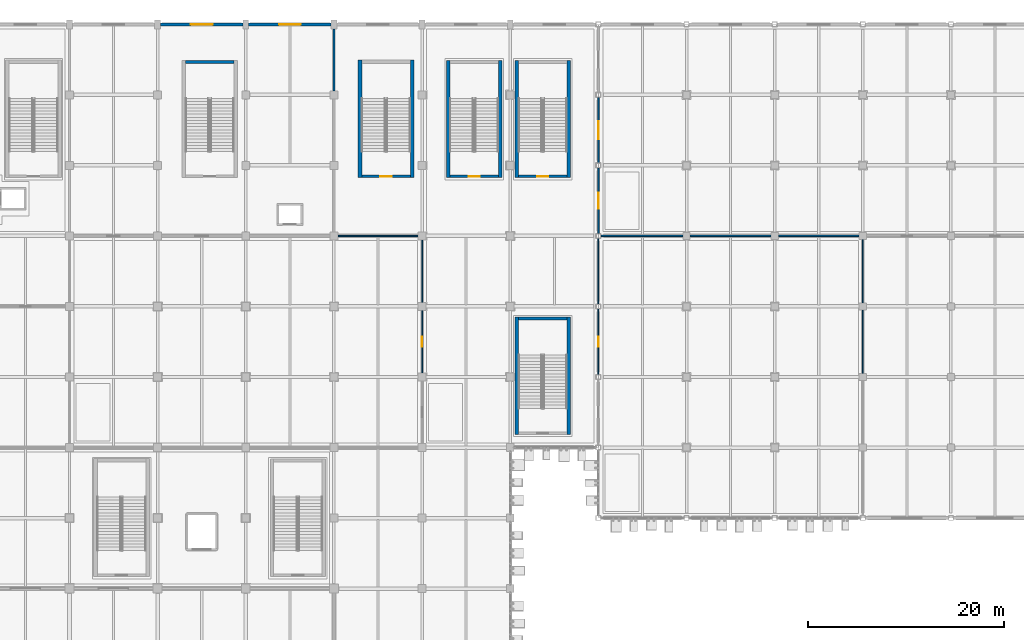
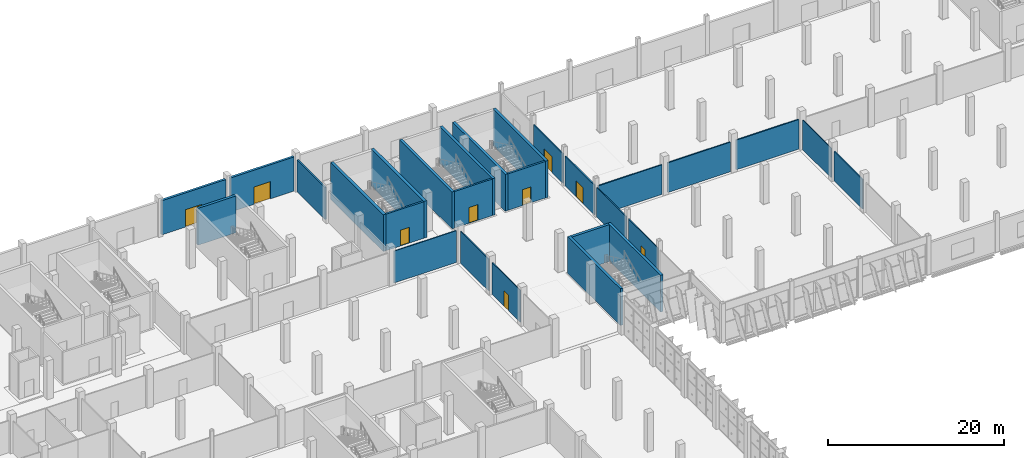
# One storey, part 98 of 137: 28 walls, 9 doors, 9 openings.
"""IFC4 building model written with IfcOpenShell, lengths in metres."""

from ifc_helpers import new_model, si_unit, direction, frame, frame_2d, origin, place, context, subcontext, project, spatial, rectangle, extrude, material, layer, layer_set, type_object, element, fill, save


model = new_model("IFC4")

# Units and contexts
model_context = context("Model", 3, precision=1e-05, world=origin(), true_north=direction((0.0, 1.0)))
body_context = subcontext(model_context, "Body", "Model", "MODEL_VIEW")
ifc_project = project(units=[si_unit("LENGTHUNIT", "METRE"), si_unit("AREAUNIT", "SQUARE_METRE"), si_unit("VOLUMEUNIT", "CUBIC_METRE"), si_unit("PLANEANGLEUNIT", "RADIAN"), si_unit("MASSUNIT", "GRAM", prefix="KILO")], contexts=[model_context])

# Site, building, storey
site_placement = place(None, origin())
site = spatial("IfcSite", under=ifc_project, at=site_placement, CompositionType="ELEMENT")
building_placement = place(site_placement, origin())
building = spatial("IfcBuilding", under=site, at=building_placement, Name="Celestram Park Convention Centre", CompositionType="ELEMENT")
storey_placement = place(building_placement, origin())
storey = spatial("IfcBuildingStorey", under=building, at=storey_placement, Name="L00", CompositionType="ELEMENT", Elevation=0.0)

# Wall, opening, door
ifc_material_1 = material(Name="Concrete Block Masonry C25/30", Category="masonry")
ifc_layer_1 = layer(ifc_material_1, 0.25)
ifc_layer_set_1 = layer_set([ifc_layer_1], Name="Concrete Block Masonry C25/30")
wall_type_1 = type_object("IfcWallType", Name="ARC-WL-COR250", PredefinedType="STANDARD", material=ifc_layer_set_1)
wall_1_placement = place(storey_placement, frame((133.800048828125, 150.074951171875, 0.0), z_axis=(0.0, 0.0, 1.0), x_axis=(-1.0, 0.0, 0.0)))
wall_1 = element("IfcWall", 1, at=wall_1_placement, inside=storey, type_object=wall_type_1, Name="Core C5 stair entrance wall", PredefinedType="STANDARD", context=body_context, shape_type="SweptSolid", body=[
    extrude(rectangle(XDim=4.9599609375, YDim=0.25, at=frame_2d((2.47998046875, 0.0))), origin(), (0.0, 0.0, 1.0), 5.080078125),
])
opening_1_placement = place(wall_1_placement, frame((1.905029296875, 0.0, 0.0)))
opening_1 = element("IfcOpeningElement", 2, at=opening_1_placement, cuts=wall_1, Name="Opening D-ST1", PredefinedType="OPENING", context=body_context, shape_type="SweptSolid", body=[
    extrude(rectangle(XDim=1.14990234375, YDim=2.199951171875, at=frame_2d((0.574951171875, 1.10009765625))), frame((0.0, 0.135009765625, 0.0), z_axis=(0.0, -1.0, 0.0), x_axis=(1.0, 0.0, 0.0)), (0.0, 0.0, 1.0), 0.27001953125),
])
ifc_material_2 = material(Name="Fire-Rated Hollow Metal Steel ASTM A653", Category="steel")
door_type_1 = type_object("IfcDoorType", Name="ARC-DR-ST115", OperationType="NOTDEFINED", PredefinedType="DOOR", material=ifc_material_2)
door_1_placement = place(opening_1_placement, origin())
door_1 = element("IfcDoor", 3, at=door_1_placement, inside=storey, type_object=door_type_1, Name="Exit stair ST-05 fire door", OperationType="SINGLE_SWING_LEFT", OverallHeight=2.199951171875, OverallWidth=1.14990234375, PredefinedType="DOOR", context=body_context, shape_type="SweptSolid", body=[
    extrude(rectangle(XDim=1.14990234375, YDim=2.199951171875, at=frame_2d((0.574951171875, 1.10009765625))), frame((0.0, 0.02490234375, 0.0), z_axis=(0.0, -1.0, 0.0), x_axis=(1.0, 0.0, 0.0)), (0.0, 0.0, 1.0), 0.050048828125),
])
fill(opening_1, door_1)

wall_2_placement = place(storey_placement, frame((149.800048828125, 150.074951171875, 0.0), z_axis=(0.0, 0.0, 1.0), x_axis=(-1.0, 0.0, 0.0)))
wall_2 = element("IfcWall", 4, at=wall_2_placement, inside=storey, type_object=wall_type_1, Name="Core S09 stair entrance wall", PredefinedType="STANDARD", context=body_context, shape_type="SweptSolid", body=[
    extrude(rectangle(XDim=4.9599609375, YDim=0.25, at=frame_2d((2.47998046875, 0.0))), origin(), (0.0, 0.0, 1.0), 5.080078125),
])
opening_2_placement = place(wall_2_placement, frame((1.905029296875, 0.0, 0.0)))
opening_2 = element("IfcOpeningElement", 5, at=opening_2_placement, cuts=wall_2, Name="Opening D-ST1", PredefinedType="OPENING", context=body_context, shape_type="SweptSolid", body=[
    extrude(rectangle(XDim=1.14990234375, YDim=2.199951171875, at=frame_2d((0.574951171875, 1.10009765625))), frame((0.0, 0.135009765625, 0.0), z_axis=(0.0, -1.0, 0.0), x_axis=(1.0, 0.0, 0.0)), (0.0, 0.0, 1.0), 0.27001953125),
])
door_2_placement = place(opening_2_placement, origin())
door_2 = element("IfcDoor", 6, at=door_2_placement, inside=storey, type_object=door_type_1, Name="Exit stair ST-09 fire door", OperationType="SINGLE_SWING_LEFT", OverallHeight=2.199951171875, OverallWidth=1.14990234375, PredefinedType="DOOR", context=body_context, shape_type="SweptSolid", body=[
    extrude(rectangle(XDim=1.14990234375, YDim=2.199951171875, at=frame_2d((0.574951171875, 1.10009765625))), frame((0.0, 0.02490234375, 0.0), z_axis=(0.0, -1.0, 0.0), x_axis=(1.0, 0.0, 0.0)), (0.0, 0.0, 1.0), 0.050048828125),
])
fill(opening_2, door_2)

wall_3_placement = place(storey_placement, frame((142.800048828125, 150.074951171875, 0.0), z_axis=(0.0, 0.0, 1.0), x_axis=(-1.0, 0.0, 0.0)))
wall_3 = element("IfcWall", 7, at=wall_3_placement, inside=storey, type_object=wall_type_1, Name="Core S22 stair entrance wall", PredefinedType="STANDARD", context=body_context, shape_type="SweptSolid", body=[
    extrude(rectangle(XDim=4.9599609375, YDim=0.25, at=frame_2d((2.47998046875, 0.0))), origin(), (0.0, 0.0, 1.0), 5.080078125),
])
opening_3_placement = place(wall_3_placement, frame((1.905029296875, 0.0, 0.0)))
opening_3 = element("IfcOpeningElement", 8, at=opening_3_placement, cuts=wall_3, Name="Opening D-ST1", PredefinedType="OPENING", context=body_context, shape_type="SweptSolid", body=[
    extrude(rectangle(XDim=1.14990234375, YDim=2.199951171875, at=frame_2d((0.574951171875, 1.10009765625))), frame((0.0, 0.135009765625, 0.0), z_axis=(0.0, -1.0, 0.0), x_axis=(1.0, 0.0, 0.0)), (0.0, 0.0, 1.0), 0.27001953125),
])
door_3_placement = place(opening_3_placement, origin())
door_3 = element("IfcDoor", 9, at=door_3_placement, inside=storey, type_object=door_type_1, Name="Exit stair ST-22 fire door", OperationType="SINGLE_SWING_LEFT", OverallHeight=2.199951171875, OverallWidth=1.14990234375, PredefinedType="DOOR", context=body_context, shape_type="SweptSolid", body=[
    extrude(rectangle(XDim=1.14990234375, YDim=2.199951171875, at=frame_2d((0.574951171875, 1.10009765625))), frame((0.0, 0.02490234375, 0.0), z_axis=(0.0, -1.0, 0.0), x_axis=(1.0, 0.0, 0.0)), (0.0, 0.0, 1.0), 0.050048828125),
])
fill(opening_3, door_3)

ifc_material_3 = material(Name="Precast Concrete C40/50", Category="concrete")
ifc_layer_2 = layer(ifc_material_3, 0.300048828125)
ifc_layer_set_2 = layer_set([ifc_layer_2], Name="Precast Concrete C40/50")
wall_type_2 = type_object("IfcWallType", Name="ARC-WL-EXT300", PredefinedType="STANDARD", material=ifc_layer_set_2)
wall_4_placement = place(storey_placement, frame((108.298095703125, 165.60009765625, 0.0), z_axis=(0.0, 0.0, 1.0), x_axis=(1.0, 0.0, 0.0)))
wall_4 = element("IfcWall", 10, at=wall_4_placement, inside=storey, type_object=wall_type_2, Name="Bush-hammered precast exterior wall WL-L00-EW033", PredefinedType="STANDARD", context=body_context, shape_type="SweptSolid", body=[
    extrude(rectangle(XDim=8.40380859375, YDim=0.300048828125, at=frame_2d((4.201904296875, 0.0))), origin(), (0.0, 0.0, 1.0), 4.7470703125),
])
opening_4_placement = place(wall_4_placement, frame((3.10205078125, 0.0, 0.0)))
opening_4 = element("IfcOpeningElement", 11, at=opening_4_placement, cuts=wall_4, Name="Opening D-EX1", PredefinedType="OPENING", context=body_context, shape_type="SweptSolid", body=[
    extrude(rectangle(XDim=2.199951171875, YDim=2.39990234375, at=frame_2d((1.10009765625, 1.199951171875))), frame((0.0, 0.159912109375, 0.0), z_axis=(0.0, -1.0, 0.0), x_axis=(1.0, 0.0, 0.0)), (0.0, 0.0, 1.0), 0.320068359375),
])
ifc_material_4 = material(Name="Anodised Aluminium & Tempered Glass", Category="aluminium")
door_type_2 = type_object("IfcDoorType", Name="ARC-DR-EX2200", OperationType="NOTDEFINED", PredefinedType="DOOR", material=ifc_material_4)
door_4_placement = place(opening_4_placement, origin())
door_4 = element("IfcDoor", 12, at=door_4_placement, inside=storey, type_object=door_type_2, Name="Ground egress exit door DR-L00-EX32", OperationType="DOUBLE_DOOR_SINGLE_SWING", OverallHeight=2.39990234375, OverallWidth=2.199951171875, PredefinedType="DOOR", context=body_context, shape_type="SweptSolid", body=[
    extrude(rectangle(XDim=2.199951171875, YDim=2.39990234375, at=frame_2d((1.10009765625, 1.199951171875))), frame((0.0, 0.02490234375, 0.0), z_axis=(0.0, -1.0, 0.0), x_axis=(1.0, 0.0, 0.0)), (0.0, 0.0, 1.0), 0.050048828125),
])
fill(opening_4, door_4)

wall_5_placement = place(storey_placement, frame((117.298095703125, 165.60009765625, 0.0), z_axis=(0.0, 0.0, 1.0), x_axis=(1.0, 0.0, 0.0)))
wall_5 = element("IfcWall", 13, at=wall_5_placement, inside=storey, type_object=wall_type_2, Name="Bush-hammered precast exterior wall WL-L00-EW034", PredefinedType="STANDARD", context=body_context, shape_type="SweptSolid", body=[
    extrude(rectangle(XDim=8.40380859375, YDim=0.300048828125, at=frame_2d((4.201904296875, 0.0))), origin(), (0.0, 0.0, 1.0), 4.7470703125),
])
opening_5_placement = place(wall_5_placement, frame((3.10205078125, 0.0, 0.0)))
opening_5 = element("IfcOpeningElement", 14, at=opening_5_placement, cuts=wall_5, Name="Opening D-EX1", PredefinedType="OPENING", context=body_context, shape_type="SweptSolid", body=[
    extrude(rectangle(XDim=2.199951171875, YDim=2.39990234375, at=frame_2d((1.10009765625, 1.199951171875))), frame((0.0, 0.159912109375, 0.0), z_axis=(0.0, -1.0, 0.0), x_axis=(1.0, 0.0, 0.0)), (0.0, 0.0, 1.0), 0.320068359375),
])
door_5_placement = place(opening_5_placement, origin())
door_5 = element("IfcDoor", 15, at=door_5_placement, inside=storey, type_object=door_type_2, Name="Ground egress exit door DR-L00-EX33", OperationType="DOUBLE_DOOR_SINGLE_SWING", OverallHeight=2.39990234375, OverallWidth=2.199951171875, PredefinedType="DOOR", context=body_context, shape_type="SweptSolid", body=[
    extrude(rectangle(XDim=2.199951171875, YDim=2.39990234375, at=frame_2d((1.10009765625, 1.199951171875))), frame((0.0, 0.02490234375, 0.0), z_axis=(0.0, -1.0, 0.0), x_axis=(1.0, 0.0, 0.0)), (0.0, 0.0, 1.0), 0.050048828125),
])
fill(opening_5, door_5)

# Wall
ifc_material_5 = material(Name="Standard Gypsum & Steel Stud 120 mm", Category="steel")
ifc_layer_3 = layer(ifc_material_5, 0.1201171875)
ifc_layer_set_3 = layer_set([ifc_layer_3], Name="Standard Gypsum & Steel Stud 120 mm")
wall_type_3 = type_object("IfcWallType", Name="ARC-WL-PRT120", PredefinedType="PARTITIONING", material=ifc_layer_set_3)
wall_6_placement = place(storey_placement, frame((126.39794921875, 144.0, 0.0), z_axis=(0.0, 0.0, 1.0), x_axis=(1.0, 0.0, 0.0)))
element("IfcWall", 16, at=wall_6_placement, inside=storey, type_object=wall_type_3, Name="Interior partition WL-L00-IN0598", PredefinedType="PARTITIONING", context=body_context, shape_type="SweptSolid", body=[
    extrude(rectangle(XDim=8.2041015625, YDim=0.1201171875, at=frame_2d((4.10205078125, 0.0))), origin(), (0.0, 0.0, 1.0), 4.424072265625),
])

# Wall, opening, door
wall_7_placement = place(storey_placement, frame((135.0, 129.998046875, 0.0), z_axis=(0.0, 0.0, 1.0), x_axis=(0.0, 1.0, 0.0)))
wall_7 = element("IfcWall", 17, at=wall_7_placement, inside=storey, type_object=wall_type_3, Name="Interior partition WL-L00-IN0670", PredefinedType="PARTITIONING", context=body_context, shape_type="SweptSolid", body=[
    extrude(rectangle(XDim=6.404052734375, YDim=0.1201171875, at=frame_2d((3.2021484375, 0.0))), origin(), (0.0, 0.0, 1.0), 4.43701171875),
])
opening_6_placement = place(wall_7_placement, frame((2.677001953125, 0.0, 0.0)))
opening_6 = element("IfcOpeningElement", 18, at=opening_6_placement, cuts=wall_7, Name="Opening D-06", PredefinedType="OPENING", context=body_context, shape_type="SweptSolid", body=[
    extrude(rectangle(XDim=1.050048828125, YDim=2.14990234375, at=frame_2d((0.52490234375, 1.074951171875))), frame((0.0, 0.070068359375, 0.0), z_axis=(0.0, -1.0, 0.0), x_axis=(1.0, 0.0, 0.0)), (0.0, 0.0, 1.0), 0.14013671875),
])
ifc_material_6 = material(Name="Solid Core White Oak Single Door", Category="wood")
door_type_3 = type_object("IfcDoorType", Name="ARC-DR-RM105", OperationType="NOTDEFINED", PredefinedType="DOOR", material=ifc_material_6)
door_6_placement = place(opening_6_placement, origin())
door_6 = element("IfcDoor", 19, at=door_6_placement, inside=storey, type_object=door_type_3, Name="Parkfront Espresso & Cafe Hall entrance door", OperationType="SINGLE_SWING_RIGHT", OverallHeight=2.14990234375, OverallWidth=1.050048828125, PredefinedType="DOOR", context=body_context, shape_type="SweptSolid", body=[
    extrude(rectangle(XDim=1.050048828125, YDim=2.14990234375, at=frame_2d((0.52490234375, 1.074951171875))), frame((0.0, 0.02490234375, 0.0), z_axis=(0.0, -1.0, 0.0), x_axis=(1.0, 0.0, 0.0)), (0.0, 0.0, 1.0), 0.050048828125),
])
fill(opening_6, door_6)

# Wall
wall_8_placement = place(storey_placement, frame((135.0, 137.197998046875, 0.0), z_axis=(0.0, 0.0, 1.0), x_axis=(0.0, 1.0, 0.0)))
element("IfcWall", 20, at=wall_8_placement, inside=storey, type_object=wall_type_3, Name="Interior partition WL-L00-IN0671", PredefinedType="PARTITIONING", context=body_context, shape_type="SweptSolid", body=[
    extrude(rectangle(XDim=6.404052734375, YDim=0.1201171875, at=frame_2d((3.2021484375, 0.0))), origin(), (0.0, 0.0, 1.0), 4.43701171875),
])

# Wall, opening, door
wall_9_placement = place(storey_placement, frame((153.0, 129.847900390625, 0.0), z_axis=(0.0, 0.0, 1.0), x_axis=(0.0, 1.0, 0.0)))
wall_9 = element("IfcWall", 21, at=wall_9_placement, inside=storey, type_object=wall_type_3, Name="Interior partition WL-L00-IN0673", PredefinedType="PARTITIONING", context=body_context, shape_type="SweptSolid", body=[
    extrude(rectangle(XDim=6.7041015625, YDim=0.1201171875, at=frame_2d((3.35205078125, 0.0))), origin(), (0.0, 0.0, 1.0), 4.1240234375),
])
opening_7_placement = place(wall_9_placement, frame((2.85205078125, 0.0, 0.0)))
opening_7 = element("IfcOpeningElement", 22, at=opening_7_placement, cuts=wall_9, Name="Opening D-07", PredefinedType="OPENING", context=body_context, shape_type="SweptSolid", body=[
    extrude(rectangle(XDim=1.0, YDim=2.14990234375, at=frame_2d((0.5, 1.074951171875))), frame((0.0, 0.070068359375, 0.0), z_axis=(0.0, -1.0, 0.0), x_axis=(1.0, 0.0, 0.0)), (0.0, 0.0, 1.0), 0.14013671875),
])
door_type_4 = type_object("IfcDoorType", Name="ARC-DR-RM100", OperationType="NOTDEFINED", PredefinedType="DOOR", material=ifc_material_6)
door_7_placement = place(opening_7_placement, origin())
door_7 = element("IfcDoor", 23, at=door_7_placement, inside=storey, type_object=door_type_4, Name="Plenary Speaker Lounge entrance door", OperationType="SINGLE_SWING_RIGHT", OverallHeight=2.14990234375, OverallWidth=1.0, PredefinedType="DOOR", context=body_context, shape_type="SweptSolid", body=[
    extrude(rectangle(XDim=1.0, YDim=2.14990234375, at=frame_2d((0.5, 1.074951171875))), frame((0.0, 0.02490234375, 0.0), z_axis=(0.0, -1.0, 0.0), x_axis=(1.0, 0.0, 0.0)), (0.0, 0.0, 1.0), 0.050048828125),
])
fill(opening_7, door_7)

# Walls
wall_10_placement = place(storey_placement, frame((153.0, 137.048095703125, 0.0), z_axis=(0.0, 0.0, 1.0), x_axis=(0.0, 1.0, 0.0)))
element("IfcWall", 24, at=wall_10_placement, inside=storey, type_object=wall_type_3, Name="Interior partition WL-L00-IN0674", PredefinedType="PARTITIONING", context=body_context, shape_type="SweptSolid", body=[
    extrude(rectangle(XDim=6.703857421875, YDim=0.1201171875, at=frame_2d((3.35205078125, 0.0))), origin(), (0.0, 0.0, 1.0), 4.1240234375),
])
wall_11_placement = place(storey_placement, frame((180.0, 129.972900390625, 0.0), z_axis=(0.0, 0.0, 1.0), x_axis=(0.0, 1.0, 0.0)))
element("IfcWall", 25, at=wall_11_placement, inside=storey, type_object=wall_type_3, Name="Interior partition WL-L00-IN0683", PredefinedType="PARTITIONING", context=body_context, shape_type="SweptSolid", body=[
    extrude(rectangle(XDim=6.4541015625, YDim=0.1201171875, at=frame_2d((3.22705078125, 0.0))), origin(), (0.0, 0.0, 1.0), 4.1240234375),
])
wall_12_placement = place(storey_placement, frame((180.0, 137.173095703125, 0.0), z_axis=(0.0, 0.0, 1.0), x_axis=(0.0, 1.0, 0.0)))
element("IfcWall", 26, at=wall_12_placement, inside=storey, type_object=wall_type_3, Name="Interior partition WL-L00-IN0684", PredefinedType="PARTITIONING", context=body_context, shape_type="SweptSolid", body=[
    extrude(rectangle(XDim=6.453857421875, YDim=0.1201171875, at=frame_2d((3.22705078125, 0.0))), origin(), (0.0, 0.0, 1.0), 4.1240234375),
])
ifc_material_7 = material(Name="Acoustic Gypsum & Steel Stud 160 mm", Category="steel")
ifc_layer_4 = layer(ifc_material_7, 0.159912109375)
ifc_layer_set_4 = layer_set([ifc_layer_4], Name="Acoustic Gypsum & Steel Stud 160 mm")
wall_type_4 = type_object("IfcWallType", Name="ARC-WL-PRT160", PredefinedType="PARTITIONING", material=ifc_layer_set_4)
wall_13_placement = place(storey_placement, frame((153.248046875, 144.0, 0.0), z_axis=(0.0, 0.0, 1.0), x_axis=(1.0, 0.0, 0.0)))
element("IfcWall", 27, at=wall_13_placement, inside=storey, type_object=wall_type_4, Name="Interior partition WL-L00-IN0599", PredefinedType="PARTITIONING", context=body_context, shape_type="SweptSolid", body=[
    extrude(rectangle(XDim=8.37890625, YDim=0.159912109375, at=frame_2d((4.189453125, 0.0))), origin(), (0.0, 0.0, 1.0), 4.1240234375),
])
for number, where, z_axis, x_axis, name in (
    (28, (162.373046875, 144.0, 0.0), (0.0, 0.0, 1.0), (1.0, 0.0, 0.0), "Interior partition WL-L00-IN0600"),
    (29, (171.373046875, 144.0, 0.0), (0.0, 0.0, 1.0), (1.0, 0.0, 0.0), "Interior partition WL-L00-IN0601"),
):
    element("IfcWall", number, at=place(storey_placement, frame(where, z_axis=z_axis, x_axis=x_axis)), inside=storey, type_object=wall_type_4, Name=name, PredefinedType="PARTITIONING", context=body_context, shape_type="SweptSolid", body=[
        extrude(rectangle(XDim=8.25390625, YDim=0.159912109375, at=frame_2d((4.126953125, 0.0))), origin(), (0.0, 0.0, 1.0), 4.1240234375),
    ])

# Wall, opening, door
wall_14_placement = place(storey_placement, frame((153.0, 144.248046875, 0.0), z_axis=(0.0, 0.0, 1.0), x_axis=(0.0, 1.0, 0.0)))
wall_14 = element("IfcWall", 30, at=wall_14_placement, inside=storey, type_object=wall_type_4, Name="Interior partition WL-L00-IN0675", PredefinedType="PARTITIONING", context=body_context, shape_type="SweptSolid", body=[
    extrude(rectangle(XDim=6.703857421875, YDim=0.159912109375, at=frame_2d((3.35205078125, 0.0))), origin(), (0.0, 0.0, 1.0), 4.1240234375),
])
opening_8_placement = place(wall_14_placement, frame((2.552001953125, 0.0, 0.0)))
opening_8 = element("IfcOpeningElement", 31, at=opening_8_placement, cuts=wall_14, Name="Opening D-05", PredefinedType="OPENING", context=body_context, shape_type="SweptSolid", body=[
    extrude(rectangle(XDim=1.60009765625, YDim=2.199951171875, at=frame_2d((0.800048828125, 1.10009765625))), frame((0.0, 0.08984375, 0.0), z_axis=(0.0, -1.0, 0.0), x_axis=(1.0, 0.0, 0.0)), (0.0, 0.0, 1.0), 0.179931640625),
])
ifc_material_8 = material(Name="Solid White Oak Double Door", Category="wood")
door_type_5 = type_object("IfcDoorType", Name="ARC-DR-MTG160", OperationType="NOTDEFINED", PredefinedType="DOOR", material=ifc_material_8)
door_8_placement = place(opening_8_placement, origin())
door_8 = element("IfcDoor", 32, at=door_8_placement, inside=storey, type_object=door_type_5, Name="Keynote VIP Briefing Room entrance door", OperationType="DOUBLE_DOOR_SINGLE_SWING", OverallHeight=2.199951171875, OverallWidth=1.60009765625, PredefinedType="DOOR", context=body_context, shape_type="SweptSolid", body=[
    extrude(rectangle(XDim=1.60009765625, YDim=2.199951171875, at=frame_2d((0.800048828125, 1.10009765625))), frame((0.0, 0.02490234375, 0.0), z_axis=(0.0, -1.0, 0.0), x_axis=(1.0, 0.0, 0.0)), (0.0, 0.0, 1.0), 0.050048828125),
])
fill(opening_8, door_8)

wall_15_placement = place(storey_placement, frame((153.0, 151.447998046875, 0.0), z_axis=(0.0, 0.0, 1.0), x_axis=(0.0, 1.0, 0.0)))
wall_15 = element("IfcWall", 33, at=wall_15_placement, inside=storey, type_object=wall_type_4, Name="Interior partition WL-L00-IN0676", PredefinedType="PARTITIONING", context=body_context, shape_type="SweptSolid", body=[
    extrude(rectangle(XDim=6.7041015625, YDim=0.159912109375, at=frame_2d((3.35205078125, 0.0))), origin(), (0.0, 0.0, 1.0), 4.1240234375),
])
opening_9_placement = place(wall_15_placement, frame((2.451904296875, 0.0, 0.0)))
opening_9 = element("IfcOpeningElement", 34, at=opening_9_placement, cuts=wall_15, Name="Opening D-04", PredefinedType="OPENING", context=body_context, shape_type="SweptSolid", body=[
    extrude(rectangle(XDim=1.800048828125, YDim=2.25, at=frame_2d((0.89990234375, 1.125))), frame((0.0, 0.08984375, 0.0), z_axis=(0.0, -1.0, 0.0), x_axis=(1.0, 0.0, 0.0)), (0.0, 0.0, 1.0), 0.179931640625),
])
ifc_material_9 = material(Name="Solid White Oak Acoustic Double Door", Category="wood")
door_type_6 = type_object("IfcDoorType", Name="ARC-DR-MTG180", OperationType="NOTDEFINED", PredefinedType="DOOR", material=ifc_material_9)
door_9_placement = place(opening_9_placement, origin())
door_9 = element("IfcDoor", 35, at=door_9_placement, inside=storey, type_object=door_type_6, Name="Keynote VIP Briefing Room entrance door", OperationType="DOUBLE_DOOR_SINGLE_SWING", OverallHeight=2.25, OverallWidth=1.800048828125, PredefinedType="DOOR", context=body_context, shape_type="SweptSolid", body=[
    extrude(rectangle(XDim=1.800048828125, YDim=2.25, at=frame_2d((0.89990234375, 1.125))), frame((0.0, 0.02490234375, 0.0), z_axis=(0.0, -1.0, 0.0), x_axis=(1.0, 0.0, 0.0)), (0.0, 0.0, 1.0), 0.050048828125),
])
fill(opening_9, door_9)

# Walls
ifc_material_10 = material(Name="Fire-Rated Gypsum & Steel Stud 180 mm", Category="steel")
ifc_layer_5 = layer(ifc_material_10, 0.179931640625)
ifc_layer_set_5 = layer_set([ifc_layer_5], Name="Fire-Rated Gypsum & Steel Stud 180 mm")
wall_type_5 = type_object("IfcWallType", Name="ARC-WL-PRT180", PredefinedType="PARTITIONING", material=ifc_layer_set_5)
wall_16_placement = place(storey_placement, frame((126.0, 158.798095703125, 0.0), z_axis=(0.0, 0.0, 1.0), x_axis=(0.0, 1.0, 0.0)))
element("IfcWall", 36, at=wall_16_placement, inside=storey, type_object=wall_type_5, Name="Interior partition WL-L00-IN0668", PredefinedType="PARTITIONING", context=body_context, shape_type="SweptSolid", body=[
    extrude(rectangle(XDim=6.35400390625, YDim=0.179931640625, at=frame_2d((3.177001953125, 0.0))), origin(), (0.0, 0.0, 1.0), 4.43701171875),
])
ifc_material_11 = material(Name="Concrete C40/50", Category="concrete")
ifc_layer_6 = layer(ifc_material_11, 0.340087890625)
ifc_layer_set_6 = layer_set([ifc_layer_6], Name="Concrete C40/50")
wall_type_6 = type_object("IfcWallType", Name="STR-WL-SHR340", PredefinedType="SHEAR", material=ifc_layer_set_6)
for number, where, z_axis, x_axis, name in (
    (37, (144.669921875, 149.949951171875, 0.0), (0.0, 0.0, 1.0), (0.0, 1.0, 0.0), "Core S09 shear wall L"),
    (38, (149.969970703125, 161.93994140625, 0.0), (0.0, 0.0, 1.0), (0.0, -1.0, 0.0), "Core S09 shear wall R"),
    (39, (144.669921875, 123.75, 0.0), (0.0, 0.0, 1.0), (0.0, 1.0, 0.0), "Core S10 shear wall L"),
    (40, (149.969970703125, 135.739990234375, 0.0), (0.0, 0.0, 1.0), (0.0, -1.0, 0.0), "Core S10 shear wall R"),
):
    element("IfcWall", number, at=place(storey_placement, frame(where, z_axis=z_axis, x_axis=x_axis)), inside=storey, type_object=wall_type_6, Name=name, PredefinedType="SHEAR", context=body_context, shape_type="SweptSolid", body=[
        extrude(rectangle(XDim=11.989990234375, YDim=0.340087890625, at=frame_2d((5.9951171875, 0.0))), origin(), (0.0, 0.0, 1.0), 5.1201171875),
    ])
for number, where, z_axis, x_axis, name in (
    (41, (144.840087890625, 135.570068359375, 0.0), (0.0, 0.0, 1.0), (1.0, 0.0, 0.0), "Core S10 shear wall F"),
    (42, (110.840087890625, 161.77001953125, 0.0), (0.0, 0.0, 1.0), (1.0, 0.0, 0.0), "Core S16 shear wall F"),
):
    element("IfcWall", number, at=place(storey_placement, frame(where, z_axis=z_axis, x_axis=x_axis)), inside=storey, type_object=wall_type_6, Name=name, PredefinedType="SHEAR", context=body_context, shape_type="SweptSolid", body=[
        extrude(rectangle(XDim=4.9599609375, YDim=0.340087890625, at=frame_2d((2.47998046875, 0.0))), origin(), (0.0, 0.0, 1.0), 5.1201171875),
    ])
for number, where, z_axis, x_axis, name in (
    (43, (137.669921875, 149.949951171875, 0.0), (0.0, 0.0, 1.0), (0.0, 1.0, 0.0), "Core S22 shear wall L"),
    (44, (142.969970703125, 161.93994140625, 0.0), (0.0, 0.0, 1.0), (0.0, -1.0, 0.0), "Core S22 shear wall R"),
):
    element("IfcWall", number, at=place(storey_placement, frame(where, z_axis=z_axis, x_axis=x_axis)), inside=storey, type_object=wall_type_6, Name=name, PredefinedType="SHEAR", context=body_context, shape_type="SweptSolid", body=[
        extrude(rectangle(XDim=11.989990234375, YDim=0.340087890625, at=frame_2d((5.9951171875, 0.0))), origin(), (0.0, 0.0, 1.0), 5.1201171875),
    ])
ifc_layer_7 = layer(ifc_material_11, 0.3798828125)
ifc_layer_set_7 = layer_set([ifc_layer_7], Name="Concrete C40/50")
wall_type_7 = type_object("IfcWallType", Name="STR-WL-SHR380", PredefinedType="SHEAR", material=ifc_layer_set_7)
for number, where, z_axis, x_axis, name in (
    (45, (128.64990234375, 149.949951171875, 0.0), (0.0, 0.0, 1.0), (0.0, 1.0, 0.0), "Core C5 shear wall L"),
    (46, (133.989990234375, 161.97998046875, 0.0), (0.0, 0.0, 1.0), (0.0, -1.0, 0.0), "Core C5 shear wall R"),
):
    element("IfcWall", number, at=place(storey_placement, frame(where, z_axis=z_axis, x_axis=x_axis)), inside=storey, type_object=wall_type_7, Name=name, PredefinedType="SHEAR", context=body_context, shape_type="SweptSolid", body=[
        extrude(rectangle(XDim=12.030029296875, YDim=0.3798828125, at=frame_2d((6.01513671875, 0.0))), origin(), (0.0, 0.0, 1.0), 5.1201171875),
    ])

save(model, "model.ifc")
